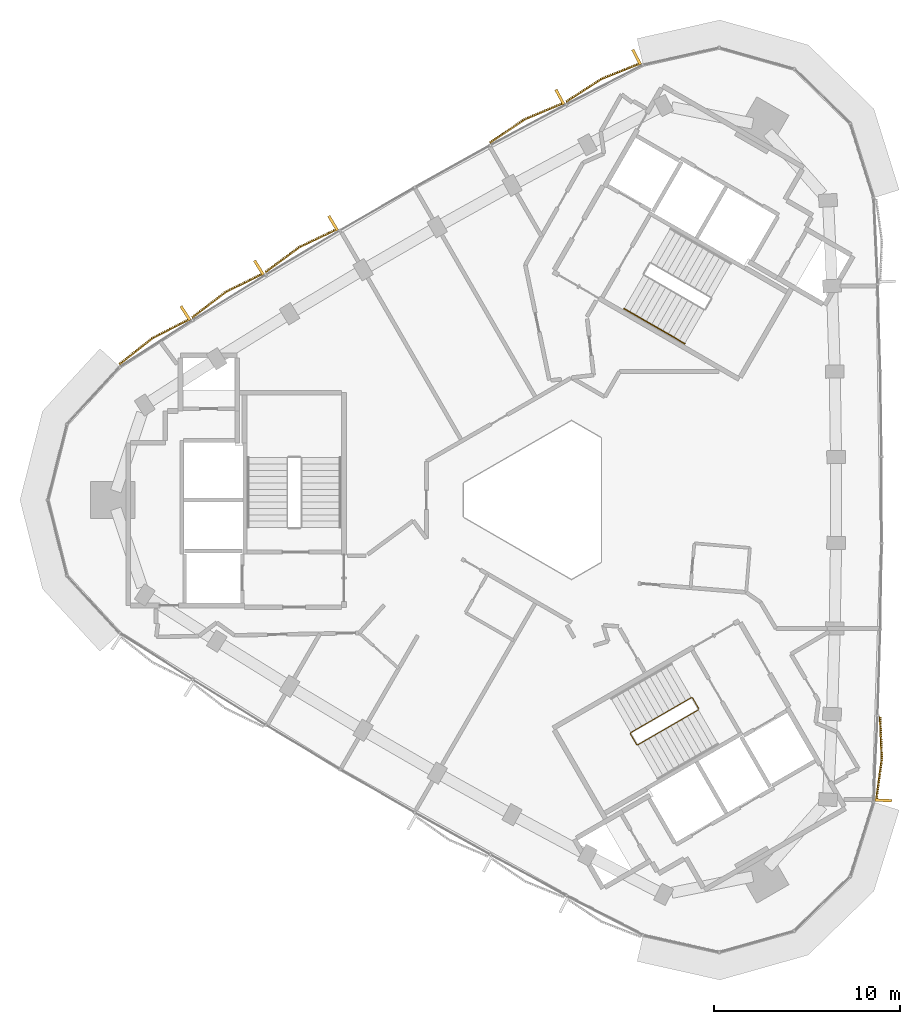
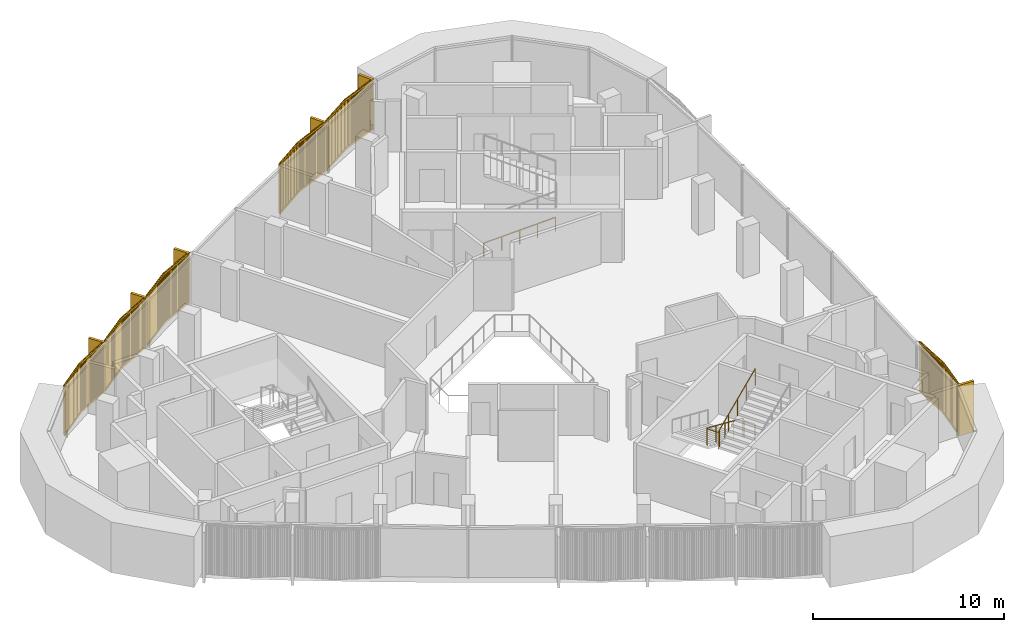
# One storey, part 11 of 12: 6 coverings, 2 railings.
"""IFC4 building model written with IfcOpenShell, lengths in metres."""

from ifc_helpers import new_model, si_unit, direction, frame, frame_2d, origin, origin_2d, place, context, subcontext, project, spatial, rectangle, circle, extrude, source, transform, mapped, material, type_object, element, save


model = new_model("IFC4")

# Units and contexts
model_context = context("Model", 3, precision=1e-05, world=origin(), true_north=direction((0.0, 1.0)))
body_context = subcontext(model_context, "Body", "Model", "MODEL_VIEW")
ifc_project = project(units=[si_unit("LENGTHUNIT", "METRE"), si_unit("AREAUNIT", "SQUARE_METRE"), si_unit("VOLUMEUNIT", "CUBIC_METRE"), si_unit("PLANEANGLEUNIT", "RADIAN"), si_unit("MASSUNIT", "GRAM", prefix="KILO")], contexts=[model_context])

# Site, building, storey
site_placement = place(None, origin())
site = spatial("IfcSite", under=ifc_project, at=site_placement, CompositionType="ELEMENT")
building_placement = place(site_placement, origin())
building = spatial("IfcBuilding", under=site, at=building_placement, Name="Tamra Quay Hotel Tower", CompositionType="ELEMENT")
storey_placement = place(building_placement, frame((0.0, 0.0, 280.199951171875)))
storey = spatial("IfcBuildingStorey", under=building, at=storey_placement, Name="L71", CompositionType="ELEMENT", Elevation=280.199951171875)

# Railings
ifc_material_1 = material(Name="Stair guard 1100")
railing_type_1 = type_object("IfcRailingType", Name="Stair guard 1100", PredefinedType="GUARDRAIL", material=ifc_material_1)
railing_1_placement = place(storey_placement, frame((8.245849609375, -11.221923828125, 0.0)))
element("IfcRailing", 1, at=railing_1_placement, inside=storey, type_object=railing_type_1, Name="GR", PredefinedType="GUARDRAIL", context=body_context, shape_type="SweptSolid", body=[
    extrude(circle(Radius=0.02392578125, at=origin_2d()), frame((0.0, 0.0, 1.076171875), z_axis=(-0.500043078269, 0.866000531106, 0.0), x_axis=(-0.866000531106, -0.500043078269, 0.0)), (0.0, 0.0, 1.0), 0.6591796875),
    extrude(circle(Radius=0.02392578125, at=origin_2d()), frame((-0.32958984375, 0.57080078125, 1.076171875), z_axis=(-0.411831509231, 0.110312011401, 0.90455849349), x_axis=(-0.258736085224, -0.965948051503, 0.0)), (0.0, 0.0, 1.0), 0.166015625),
    extrude(circle(Radius=0.02392578125, at=origin_2d()), frame((-0.39794921875, 0.589111328125, 1.22607421875), z_axis=(-0.793100512587, -0.457912285461, 0.401631567183), x_axis=(0.500012686397, -0.866018079166, 0.0)), (0.0, 0.0, 1.0), 4.10791015625),
    extrude(circle(Radius=0.02392578125, at=origin_2d()), frame((-3.656005859375, -1.2919921875, 2.8759765625), z_axis=(-0.256368644879, -0.966579080015, 0.0), x_axis=(0.966579080015, -0.256368644879, 0.0)), (0.0, 0.0, 1.0), 0.070556640625),
    extrude(circle(Radius=0.02392578125, at=origin_2d()), frame((-3.674072265625, -1.360107421875, 2.8759765625), z_axis=(0.499765215335, -0.866160914346, 0.0), x_axis=(0.866160914346, 0.499765215335, 0.0)), (0.0, 0.0, 1.0), 0.658935546875),
    extrude(circle(Radius=0.02392578125, at=origin_2d()), frame((-3.3447265625, -1.930908203125, 2.8759765625), z_axis=(0.41238007866, -0.110458949641, 0.904290601062), x_axis=(0.258736085224, 0.965948051503, 0.0)), (0.0, 0.0, 1.0), 0.165771484375),
    extrude(circle(Radius=0.02392578125, at=origin_2d()), frame((-3.2763671875, -1.94921875, 3.02587890625), z_axis=(0.793081581205, 0.457901355053, 0.401681409319), x_axis=(-0.500012686397, 0.866018079166, 0.0)), (0.0, 0.0, 1.0), 4.108154296875),
    extrude(circle(Radius=0.02099609375, at=origin_2d()), origin(), (0.0, 0.0, 1.0), 1.052001953125),
    extrude(circle(Radius=0.02099609375, at=origin_2d()), frame((-0.32958984375, 0.57080078125, 0.0)), (0.0, 0.0, 1.0), 1.052001953125),
    extrude(circle(Radius=0.02099609375, at=origin_2d()), frame((-0.39794921875, 0.589111328125, 0.150146484375)), (0.0, 0.0, 1.0), 1.052001953125),
    extrude(circle(Radius=0.02099609375, at=origin_2d()), frame((-1.21240234375, 0.118896484375, 0.5625)), (0.0, 0.0, 1.0), 1.052001953125),
    extrude(circle(Radius=0.02099609375, at=origin_2d()), frame((-2.02685546875, -0.3515625, 0.97509765625)), (0.0, 0.0, 1.0), 1.052001953125),
    extrude(circle(Radius=0.02099609375, at=origin_2d()), frame((-2.841552734375, -0.82177734375, 1.3876953125)), (0.0, 0.0, 1.0), 1.052001953125),
    extrude(circle(Radius=0.02099609375, at=origin_2d()), frame((-3.656005859375, -1.2919921875, 1.800048828125)), (0.0, 0.0, 1.0), 1.052001953125),
    extrude(circle(Radius=0.02099609375, at=origin_2d()), frame((-3.674072265625, -1.360107421875, 1.800048828125)), (0.0, 0.0, 1.0), 1.052001953125),
    extrude(circle(Radius=0.02099609375, at=origin_2d()), frame((-3.3447265625, -1.930908203125, 1.800048828125)), (0.0, 0.0, 1.0), 1.052001953125),
    extrude(circle(Radius=0.02099609375, at=origin_2d()), frame((-3.2763671875, -1.94921875, 1.949951171875)), (0.0, 0.0, 1.0), 1.052001953125),
    extrude(circle(Radius=0.02099609375, at=origin_2d()), frame((-2.4619140625, -1.47900390625, 2.362548828125)), (0.0, 0.0, 1.0), 1.052001953125),
    extrude(circle(Radius=0.02099609375, at=origin_2d()), frame((-1.6474609375, -1.0087890625, 2.77490234375)), (0.0, 0.0, 1.0), 1.052001953125),
    extrude(circle(Radius=0.02099609375, at=origin_2d()), frame((-0.832763671875, -0.538330078125, 3.1875)), (0.0, 0.0, 1.0), 1.052001953125),
    extrude(circle(Radius=0.02099609375, at=origin_2d()), frame((-0.018310546875, -0.068115234375, 3.60009765625)), (0.0, 0.0, 1.0), 1.052001953125),
])
ifc_material_2 = material(Name="Stair handrail 900")
railing_type_2 = type_object("IfcRailingType", Name="Stair handrail 900", PredefinedType="HANDRAIL", material=ifc_material_2)
railing_2_placement = place(storey_placement, frame((4.234375, 10.294189453125, 0.150146484375)))
element("IfcRailing", 2, at=railing_2_placement, inside=storey, type_object=railing_type_2, Name="HR", PredefinedType="HANDRAIL", context=body_context, shape_type="SweptSolid", body=[
    extrude(circle(Radius=0.02392578125, at=origin_2d()), frame((0.0, 0.0, 0.8759765625), z_axis=(0.793122095483, -0.45786531462, 0.401642496911), x_axis=(0.499964013922, 0.86604617936, 0.0)), (0.0, 0.0, 1.0), 4.10791015625),
    extrude(circle(Radius=0.02099609375, at=origin_2d()), origin(), (0.0, 0.0, 1.0), 0.851806640625),
    extrude(circle(Radius=0.02099609375, at=origin_2d()), frame((0.814453125, -0.47021484375, 0.41259765625)), (0.0, 0.0, 1.0), 0.851806640625),
    extrude(circle(Radius=0.02099609375, at=origin_2d()), frame((1.62890625, -0.9404296875, 0.824951171875)), (0.0, 0.0, 1.0), 0.851806640625),
    extrude(circle(Radius=0.02099609375, at=origin_2d()), frame((2.443603515625, -1.41064453125, 1.2373046875)), (0.0, 0.0, 1.0), 0.851806640625),
    extrude(circle(Radius=0.02099609375, at=origin_2d()), frame((3.258056640625, -1.880859375, 1.64990234375)), (0.0, 0.0, 1.0), 0.851806640625),
])

# Coverings
ifc_material_3 = material(Name="Terracotta baguette extruded", Category="masonry")
covering_type_1 = type_object("IfcCoveringType", Name="BAGUETTE SCREEN E-V H3250", PredefinedType="USERDEFINED", material=ifc_material_3)
shared_shape_1 = source(origin(), body_context, "Body", "SweptSolid", [
    extrude(rectangle(XDim=2.291259765625, YDim=0.06005859375, at=frame_2d((1.1455078125, 0.030029296875))), frame((-2.287841796875, -0.057861328125, -0.1201171875), z_axis=(0.0, 0.0, 1.0), x_axis=(0.996194698092, -0.087155742748, 0.0)), (0.0, 0.0, 1.0), 0.1201171875),
    extrude(rectangle(XDim=2.291259765625, YDim=0.06005859375, at=frame_2d((1.1455078125, 0.030029296875))), frame((-2.287841796875, -0.057861328125, -3.25), z_axis=(0.0, 0.0, 1.0), x_axis=(0.996194698092, -0.087155742748, 0.0)), (0.0, 0.0, 1.0), 0.1201171875),
    extrude(rectangle(XDim=0.070068359375, YDim=0.10009765625, at=frame_2d((0.03515625, 0.050048828125))), frame((-2.267822265625, -0.13232421875, -3.18994140625)), (0.0, 0.0, 1.0), 3.1298828125),
    extrude(rectangle(XDim=0.070068359375, YDim=0.10009765625, at=frame_2d((0.03515625, 0.050048828125))), frame((-2.168701171875, -0.14111328125, -3.18994140625)), (0.0, 0.0, 1.0), 3.1298828125),
    extrude(rectangle(XDim=0.070068359375, YDim=0.10009765625, at=frame_2d((0.03515625, 0.050048828125))), frame((-2.0693359375, -0.149658203125, -3.18994140625)), (0.0, 0.0, 1.0), 3.1298828125),
    extrude(rectangle(XDim=0.070068359375, YDim=0.10009765625, at=frame_2d((0.03515625, 0.050048828125))), frame((-1.97021484375, -0.158447265625, -3.18994140625)), (0.0, 0.0, 1.0), 3.1298828125),
    extrude(rectangle(XDim=0.070068359375, YDim=0.10009765625, at=frame_2d((0.03515625, 0.050048828125))), frame((-1.870849609375, -0.1669921875, -3.18994140625)), (0.0, 0.0, 1.0), 3.1298828125),
    extrude(rectangle(XDim=0.070068359375, YDim=0.10009765625, at=frame_2d((0.03515625, 0.050048828125))), frame((-1.771728515625, -0.17578125, -3.18994140625)), (0.0, 0.0, 1.0), 3.1298828125),
    extrude(rectangle(XDim=0.070068359375, YDim=0.10009765625, at=frame_2d((0.03515625, 0.050048828125))), frame((-1.67236328125, -0.184326171875, -3.18994140625)), (0.0, 0.0, 1.0), 3.1298828125),
    extrude(rectangle(XDim=0.070068359375, YDim=0.10009765625, at=frame_2d((0.03515625, 0.050048828125))), frame((-1.5732421875, -0.193115234375, -3.18994140625)), (0.0, 0.0, 1.0), 3.1298828125),
    extrude(rectangle(XDim=0.070068359375, YDim=0.10009765625, at=frame_2d((0.03515625, 0.050048828125))), frame((-1.473876953125, -0.201904296875, -3.18994140625)), (0.0, 0.0, 1.0), 3.1298828125),
    extrude(rectangle(XDim=0.070068359375, YDim=0.10009765625, at=frame_2d((0.03515625, 0.050048828125))), frame((-1.374755859375, -0.21044921875, -3.18994140625)), (0.0, 0.0, 1.0), 3.1298828125),
    extrude(rectangle(XDim=0.070068359375, YDim=0.10009765625, at=frame_2d((0.03515625, 0.050048828125))), frame((-1.275390625, -0.21923828125, -3.18994140625)), (0.0, 0.0, 1.0), 3.1298828125),
    extrude(rectangle(XDim=0.070068359375, YDim=0.10009765625, at=frame_2d((0.03515625, 0.050048828125))), frame((-1.17626953125, -0.227783203125, -3.18994140625)), (0.0, 0.0, 1.0), 3.1298828125),
    extrude(rectangle(XDim=0.070068359375, YDim=0.10009765625, at=frame_2d((0.03515625, 0.050048828125))), frame((-1.076904296875, -0.236572265625, -3.18994140625)), (0.0, 0.0, 1.0), 3.1298828125),
    extrude(rectangle(XDim=0.070068359375, YDim=0.10009765625, at=frame_2d((0.03515625, 0.050048828125))), frame((-0.977783203125, -0.2451171875, -3.18994140625)), (0.0, 0.0, 1.0), 3.1298828125),
    extrude(rectangle(XDim=0.070068359375, YDim=0.10009765625, at=frame_2d((0.03515625, 0.050048828125))), frame((-0.87841796875, -0.25390625, -3.18994140625)), (0.0, 0.0, 1.0), 3.1298828125),
    extrude(rectangle(XDim=0.070068359375, YDim=0.10009765625, at=frame_2d((0.03515625, 0.050048828125))), frame((-0.779296875, -0.2626953125, -3.18994140625)), (0.0, 0.0, 1.0), 3.1298828125),
    extrude(rectangle(XDim=0.070068359375, YDim=0.10009765625, at=frame_2d((0.03515625, 0.050048828125))), frame((-0.679931640625, -0.271240234375, -3.18994140625)), (0.0, 0.0, 1.0), 3.1298828125),
    extrude(rectangle(XDim=0.070068359375, YDim=0.10009765625, at=frame_2d((0.03515625, 0.050048828125))), frame((-0.580810546875, -0.280029296875, -3.18994140625)), (0.0, 0.0, 1.0), 3.1298828125),
    extrude(rectangle(XDim=0.070068359375, YDim=0.10009765625, at=frame_2d((0.03515625, 0.050048828125))), frame((-0.481689453125, -0.28857421875, -3.18994140625)), (0.0, 0.0, 1.0), 3.1298828125),
    extrude(rectangle(XDim=0.070068359375, YDim=0.10009765625, at=frame_2d((0.03515625, 0.050048828125))), frame((-0.38232421875, -0.29736328125, -3.18994140625)), (0.0, 0.0, 1.0), 3.1298828125),
    extrude(rectangle(XDim=0.070068359375, YDim=0.10009765625, at=frame_2d((0.03515625, 0.050048828125))), frame((-0.283203125, -0.305908203125, -3.18994140625)), (0.0, 0.0, 1.0), 3.1298828125),
    extrude(rectangle(XDim=0.070068359375, YDim=0.10009765625, at=frame_2d((0.03515625, 0.050048828125))), frame((-0.183837890625, -0.314697265625, -3.18994140625)), (0.0, 0.0, 1.0), 3.1298828125),
    extrude(rectangle(XDim=0.070068359375, YDim=0.10009765625, at=frame_2d((0.03515625, 0.050048828125))), frame((-0.084716796875, -0.3232421875, -3.18994140625)), (0.0, 0.0, 1.0), 3.1298828125),
    extrude(rectangle(XDim=2.291259765625, YDim=0.06005859375, at=frame_2d((1.1455078125, 0.030029296875))), frame((0.005126953125, -0.257568359375, -0.1201171875), z_axis=(0.0, 0.0, 1.0), x_axis=(0.996194698092, 0.087155742748, 0.0)), (0.0, 0.0, 1.0), 0.1201171875),
    extrude(rectangle(XDim=2.291259765625, YDim=0.06005859375, at=frame_2d((1.1455078125, 0.030029296875))), frame((0.005126953125, -0.257568359375, -3.25), z_axis=(0.0, 0.0, 1.0), x_axis=(0.996194698092, 0.087155742748, 0.0)), (0.0, 0.0, 1.0), 0.1201171875),
    extrude(rectangle(XDim=0.070068359375, YDim=0.10009765625, at=frame_2d((0.03515625, 0.050048828125))), frame((0.0146484375, -0.3232421875, -3.18994140625)), (0.0, 0.0, 1.0), 3.1298828125),
    extrude(rectangle(XDim=0.070068359375, YDim=0.10009765625, at=frame_2d((0.03515625, 0.050048828125))), frame((0.11376953125, -0.314697265625, -3.18994140625)), (0.0, 0.0, 1.0), 3.1298828125),
    extrude(rectangle(XDim=0.070068359375, YDim=0.10009765625, at=frame_2d((0.03515625, 0.050048828125))), frame((0.213134765625, -0.305908203125, -3.18994140625)), (0.0, 0.0, 1.0), 3.1298828125),
    extrude(rectangle(XDim=0.070068359375, YDim=0.10009765625, at=frame_2d((0.03515625, 0.050048828125))), frame((0.312255859375, -0.29736328125, -3.18994140625)), (0.0, 0.0, 1.0), 3.1298828125),
    extrude(rectangle(XDim=0.070068359375, YDim=0.10009765625, at=frame_2d((0.03515625, 0.050048828125))), frame((0.41162109375, -0.28857421875, -3.18994140625)), (0.0, 0.0, 1.0), 3.1298828125),
    extrude(rectangle(XDim=0.070068359375, YDim=0.10009765625, at=frame_2d((0.03515625, 0.050048828125))), frame((0.5107421875, -0.280029296875, -3.18994140625)), (0.0, 0.0, 1.0), 3.1298828125),
    extrude(rectangle(XDim=0.070068359375, YDim=0.10009765625, at=frame_2d((0.03515625, 0.050048828125))), frame((0.610107421875, -0.271240234375, -3.18994140625)), (0.0, 0.0, 1.0), 3.1298828125),
    extrude(rectangle(XDim=0.070068359375, YDim=0.10009765625, at=frame_2d((0.03515625, 0.050048828125))), frame((0.709228515625, -0.2626953125, -3.18994140625)), (0.0, 0.0, 1.0), 3.1298828125),
    extrude(rectangle(XDim=0.070068359375, YDim=0.10009765625, at=frame_2d((0.03515625, 0.050048828125))), frame((0.80859375, -0.25390625, -3.18994140625)), (0.0, 0.0, 1.0), 3.1298828125),
    extrude(rectangle(XDim=0.070068359375, YDim=0.10009765625, at=frame_2d((0.03515625, 0.050048828125))), frame((0.90771484375, -0.2451171875, -3.18994140625)), (0.0, 0.0, 1.0), 3.1298828125),
    extrude(rectangle(XDim=0.070068359375, YDim=0.10009765625, at=frame_2d((0.03515625, 0.050048828125))), frame((1.007080078125, -0.236572265625, -3.18994140625)), (0.0, 0.0, 1.0), 3.1298828125),
    extrude(rectangle(XDim=0.070068359375, YDim=0.10009765625, at=frame_2d((0.03515625, 0.050048828125))), frame((1.106201171875, -0.227783203125, -3.18994140625)), (0.0, 0.0, 1.0), 3.1298828125),
    extrude(rectangle(XDim=0.070068359375, YDim=0.10009765625, at=frame_2d((0.03515625, 0.050048828125))), frame((1.20556640625, -0.21923828125, -3.18994140625)), (0.0, 0.0, 1.0), 3.1298828125),
    extrude(rectangle(XDim=0.070068359375, YDim=0.10009765625, at=frame_2d((0.03515625, 0.050048828125))), frame((1.3046875, -0.21044921875, -3.18994140625)), (0.0, 0.0, 1.0), 3.1298828125),
    extrude(rectangle(XDim=0.070068359375, YDim=0.10009765625, at=frame_2d((0.03515625, 0.050048828125))), frame((1.404052734375, -0.201904296875, -3.18994140625)), (0.0, 0.0, 1.0), 3.1298828125),
    extrude(rectangle(XDim=0.070068359375, YDim=0.10009765625, at=frame_2d((0.03515625, 0.050048828125))), frame((1.503173828125, -0.193115234375, -3.18994140625)), (0.0, 0.0, 1.0), 3.1298828125),
    extrude(rectangle(XDim=0.070068359375, YDim=0.10009765625, at=frame_2d((0.03515625, 0.050048828125))), frame((1.6025390625, -0.184326171875, -3.18994140625)), (0.0, 0.0, 1.0), 3.1298828125),
    extrude(rectangle(XDim=0.070068359375, YDim=0.10009765625, at=frame_2d((0.03515625, 0.050048828125))), frame((1.70166015625, -0.17578125, -3.18994140625)), (0.0, 0.0, 1.0), 3.1298828125),
    extrude(rectangle(XDim=0.070068359375, YDim=0.10009765625, at=frame_2d((0.03515625, 0.050048828125))), frame((1.801025390625, -0.1669921875, -3.18994140625)), (0.0, 0.0, 1.0), 3.1298828125),
    extrude(rectangle(XDim=0.070068359375, YDim=0.10009765625, at=frame_2d((0.03515625, 0.050048828125))), frame((1.900146484375, -0.158447265625, -3.18994140625)), (0.0, 0.0, 1.0), 3.1298828125),
    extrude(rectangle(XDim=0.070068359375, YDim=0.10009765625, at=frame_2d((0.03515625, 0.050048828125))), frame((1.99951171875, -0.149658203125, -3.18994140625)), (0.0, 0.0, 1.0), 3.1298828125),
    extrude(rectangle(XDim=0.070068359375, YDim=0.10009765625, at=frame_2d((0.03515625, 0.050048828125))), frame((2.0986328125, -0.14111328125, -3.18994140625)), (0.0, 0.0, 1.0), 3.1298828125),
    extrude(rectangle(XDim=0.070068359375, YDim=0.10009765625, at=frame_2d((0.03515625, 0.050048828125))), frame((2.197998046875, -0.13232421875, -3.18994140625)), (0.0, 0.0, 1.0), 3.1298828125),
    extrude(rectangle(XDim=0.14990234375, YDim=0.902099609375, at=frame_2d((0.074951171875, 0.451171875))), frame((-2.282470703125, -0.89990234375, -3.25)), (0.0, 0.0, 1.0), 3.25),
])
covering_placement = place(storey_placement, frame((17.83544921875, -13.934326171875, 3.25), z_axis=(0.0, 0.0, 1.0), x_axis=(0.046821223335, 0.998903285131, 0.0)))
element("IfcCovering", 3, at=covering_placement, inside=storey, type_object=covering_type_1, Name="Baguette screen L71.E.f00", ObjectType="BAGUETTE SCREEN", PredefinedType="USERDEFINED", context=body_context, shape_type="MappedRepresentation", body=[
    mapped(shared_shape_1, transform((0.0, 0.0, 0.0), scale=1.0)),
])
covering_type_2 = type_object("IfcCoveringType", Name="BAGUETTE SCREEN NW-V H3250", PredefinedType="USERDEFINED", material=ifc_material_3)
shared_shape_2 = source(origin(), body_context, "Body", "SweptSolid", [
    extrude(rectangle(XDim=2.29296875, YDim=0.06005859375, at=frame_2d((1.146484375, 0.030029296875))), frame((-2.288330078125, -0.0576171875, -0.1201171875), z_axis=(0.0, 0.0, 1.0), x_axis=(0.995396198367, -0.09584575252, 0.0)), (0.0, 0.0, 1.0), 0.1201171875),
    extrude(rectangle(XDim=2.29296875, YDim=0.06005859375, at=frame_2d((1.146484375, 0.030029296875))), frame((-2.288330078125, -0.0576171875, -3.25), z_axis=(0.0, 0.0, 1.0), x_axis=(0.995396198367, -0.09584575252, 0.0)), (0.0, 0.0, 1.0), 0.1201171875),
    extrude(rectangle(XDim=0.070068359375, YDim=0.10009765625, at=frame_2d((0.03515625, 0.050048828125))), frame((-2.267822265625, -0.1328125, -3.18994140625)), (0.0, 0.0, 1.0), 3.1298828125),
    extrude(rectangle(XDim=0.070068359375, YDim=0.10009765625, at=frame_2d((0.03515625, 0.050048828125))), frame((-2.168701171875, -0.142333984375, -3.18994140625)), (0.0, 0.0, 1.0), 3.1298828125),
    extrude(rectangle(XDim=0.070068359375, YDim=0.10009765625, at=frame_2d((0.03515625, 0.050048828125))), frame((-2.0693359375, -0.15185546875, -3.18994140625)), (0.0, 0.0, 1.0), 3.1298828125),
    extrude(rectangle(XDim=0.070068359375, YDim=0.10009765625, at=frame_2d((0.03515625, 0.050048828125))), frame((-1.97021484375, -0.161376953125, -3.18994140625)), (0.0, 0.0, 1.0), 3.1298828125),
    extrude(rectangle(XDim=0.070068359375, YDim=0.10009765625, at=frame_2d((0.03515625, 0.050048828125))), frame((-1.870849609375, -0.1708984375, -3.18994140625)), (0.0, 0.0, 1.0), 3.1298828125),
    extrude(rectangle(XDim=0.070068359375, YDim=0.10009765625, at=frame_2d((0.03515625, 0.050048828125))), frame((-1.771728515625, -0.1806640625, -3.18994140625)), (0.0, 0.0, 1.0), 3.1298828125),
    extrude(rectangle(XDim=0.070068359375, YDim=0.10009765625, at=frame_2d((0.03515625, 0.050048828125))), frame((-1.67236328125, -0.190185546875, -3.18994140625)), (0.0, 0.0, 1.0), 3.1298828125),
    extrude(rectangle(XDim=0.070068359375, YDim=0.10009765625, at=frame_2d((0.03515625, 0.050048828125))), frame((-1.5732421875, -0.19970703125, -3.18994140625)), (0.0, 0.0, 1.0), 3.1298828125),
    extrude(rectangle(XDim=0.070068359375, YDim=0.10009765625, at=frame_2d((0.03515625, 0.050048828125))), frame((-1.473876953125, -0.209228515625, -3.18994140625)), (0.0, 0.0, 1.0), 3.1298828125),
    extrude(rectangle(XDim=0.070068359375, YDim=0.10009765625, at=frame_2d((0.03515625, 0.050048828125))), frame((-1.374755859375, -0.21875, -3.18994140625)), (0.0, 0.0, 1.0), 3.1298828125),
    extrude(rectangle(XDim=0.070068359375, YDim=0.10009765625, at=frame_2d((0.03515625, 0.050048828125))), frame((-1.275390625, -0.228271484375, -3.18994140625)), (0.0, 0.0, 1.0), 3.1298828125),
    extrude(rectangle(XDim=0.070068359375, YDim=0.10009765625, at=frame_2d((0.03515625, 0.050048828125))), frame((-1.17626953125, -0.23779296875, -3.18994140625)), (0.0, 0.0, 1.0), 3.1298828125),
    extrude(rectangle(XDim=0.070068359375, YDim=0.10009765625, at=frame_2d((0.03515625, 0.050048828125))), frame((-1.076904296875, -0.24755859375, -3.18994140625)), (0.0, 0.0, 1.0), 3.1298828125),
    extrude(rectangle(XDim=0.070068359375, YDim=0.10009765625, at=frame_2d((0.03515625, 0.050048828125))), frame((-0.977783203125, -0.257080078125, -3.18994140625)), (0.0, 0.0, 1.0), 3.1298828125),
    extrude(rectangle(XDim=0.070068359375, YDim=0.10009765625, at=frame_2d((0.03515625, 0.050048828125))), frame((-0.87841796875, -0.2666015625, -3.18994140625)), (0.0, 0.0, 1.0), 3.1298828125),
    extrude(rectangle(XDim=0.070068359375, YDim=0.10009765625, at=frame_2d((0.03515625, 0.050048828125))), frame((-0.779296875, -0.276123046875, -3.18994140625)), (0.0, 0.0, 1.0), 3.1298828125),
    extrude(rectangle(XDim=0.070068359375, YDim=0.10009765625, at=frame_2d((0.03515625, 0.050048828125))), frame((-0.679931640625, -0.28564453125, -3.18994140625)), (0.0, 0.0, 1.0), 3.1298828125),
    extrude(rectangle(XDim=0.070068359375, YDim=0.10009765625, at=frame_2d((0.03515625, 0.050048828125))), frame((-0.580810546875, -0.295166015625, -3.18994140625)), (0.0, 0.0, 1.0), 3.1298828125),
    extrude(rectangle(XDim=0.070068359375, YDim=0.10009765625, at=frame_2d((0.03515625, 0.050048828125))), frame((-0.481689453125, -0.3046875, -3.18994140625)), (0.0, 0.0, 1.0), 3.1298828125),
    extrude(rectangle(XDim=0.070068359375, YDim=0.10009765625, at=frame_2d((0.03515625, 0.050048828125))), frame((-0.38232421875, -0.314453125, -3.18994140625)), (0.0, 0.0, 1.0), 3.1298828125),
    extrude(rectangle(XDim=0.070068359375, YDim=0.10009765625, at=frame_2d((0.03515625, 0.050048828125))), frame((-0.283203125, -0.323974609375, -3.18994140625)), (0.0, 0.0, 1.0), 3.1298828125),
    extrude(rectangle(XDim=0.070068359375, YDim=0.10009765625, at=frame_2d((0.03515625, 0.050048828125))), frame((-0.183837890625, -0.33349609375, -3.18994140625)), (0.0, 0.0, 1.0), 3.1298828125),
    extrude(rectangle(XDim=0.070068359375, YDim=0.10009765625, at=frame_2d((0.03515625, 0.050048828125))), frame((-0.084716796875, -0.343017578125, -3.18994140625)), (0.0, 0.0, 1.0), 3.1298828125),
    extrude(rectangle(XDim=2.29296875, YDim=0.06005859375, at=frame_2d((1.146484375, 0.030029296875))), frame((0.005859375, -0.277587890625, -0.1201171875), z_axis=(0.0, 0.0, 1.0), x_axis=(0.995396198367, 0.09584575252, 0.0)), (0.0, 0.0, 1.0), 0.1201171875),
    extrude(rectangle(XDim=2.29296875, YDim=0.06005859375, at=frame_2d((1.146484375, 0.030029296875))), frame((0.005859375, -0.277587890625, -3.25), z_axis=(0.0, 0.0, 1.0), x_axis=(0.995396198367, 0.09584575252, 0.0)), (0.0, 0.0, 1.0), 0.1201171875),
    extrude(rectangle(XDim=0.070068359375, YDim=0.10009765625, at=frame_2d((0.03515625, 0.050048828125))), frame((0.0146484375, -0.343017578125, -3.18994140625)), (0.0, 0.0, 1.0), 3.1298828125),
    extrude(rectangle(XDim=0.070068359375, YDim=0.10009765625, at=frame_2d((0.03515625, 0.050048828125))), frame((0.11376953125, -0.33349609375, -3.18994140625)), (0.0, 0.0, 1.0), 3.1298828125),
    extrude(rectangle(XDim=0.070068359375, YDim=0.10009765625, at=frame_2d((0.03515625, 0.050048828125))), frame((0.213134765625, -0.323974609375, -3.18994140625)), (0.0, 0.0, 1.0), 3.1298828125),
    extrude(rectangle(XDim=0.070068359375, YDim=0.10009765625, at=frame_2d((0.03515625, 0.050048828125))), frame((0.312255859375, -0.314453125, -3.18994140625)), (0.0, 0.0, 1.0), 3.1298828125),
    extrude(rectangle(XDim=0.070068359375, YDim=0.10009765625, at=frame_2d((0.03515625, 0.050048828125))), frame((0.41162109375, -0.3046875, -3.18994140625)), (0.0, 0.0, 1.0), 3.1298828125),
    extrude(rectangle(XDim=0.070068359375, YDim=0.10009765625, at=frame_2d((0.03515625, 0.050048828125))), frame((0.5107421875, -0.295166015625, -3.18994140625)), (0.0, 0.0, 1.0), 3.1298828125),
    extrude(rectangle(XDim=0.070068359375, YDim=0.10009765625, at=frame_2d((0.03515625, 0.050048828125))), frame((0.610107421875, -0.28564453125, -3.18994140625)), (0.0, 0.0, 1.0), 3.1298828125),
    extrude(rectangle(XDim=0.070068359375, YDim=0.10009765625, at=frame_2d((0.03515625, 0.050048828125))), frame((0.709228515625, -0.276123046875, -3.18994140625)), (0.0, 0.0, 1.0), 3.1298828125),
    extrude(rectangle(XDim=0.070068359375, YDim=0.10009765625, at=frame_2d((0.03515625, 0.050048828125))), frame((0.80859375, -0.2666015625, -3.18994140625)), (0.0, 0.0, 1.0), 3.1298828125),
    extrude(rectangle(XDim=0.070068359375, YDim=0.10009765625, at=frame_2d((0.03515625, 0.050048828125))), frame((0.90771484375, -0.257080078125, -3.18994140625)), (0.0, 0.0, 1.0), 3.1298828125),
    extrude(rectangle(XDim=0.070068359375, YDim=0.10009765625, at=frame_2d((0.03515625, 0.050048828125))), frame((1.007080078125, -0.24755859375, -3.18994140625)), (0.0, 0.0, 1.0), 3.1298828125),
    extrude(rectangle(XDim=0.070068359375, YDim=0.10009765625, at=frame_2d((0.03515625, 0.050048828125))), frame((1.106201171875, -0.23779296875, -3.18994140625)), (0.0, 0.0, 1.0), 3.1298828125),
    extrude(rectangle(XDim=0.070068359375, YDim=0.10009765625, at=frame_2d((0.03515625, 0.050048828125))), frame((1.20556640625, -0.228271484375, -3.18994140625)), (0.0, 0.0, 1.0), 3.1298828125),
    extrude(rectangle(XDim=0.070068359375, YDim=0.10009765625, at=frame_2d((0.03515625, 0.050048828125))), frame((1.3046875, -0.21875, -3.18994140625)), (0.0, 0.0, 1.0), 3.1298828125),
    extrude(rectangle(XDim=0.070068359375, YDim=0.10009765625, at=frame_2d((0.03515625, 0.050048828125))), frame((1.404052734375, -0.209228515625, -3.18994140625)), (0.0, 0.0, 1.0), 3.1298828125),
    extrude(rectangle(XDim=0.070068359375, YDim=0.10009765625, at=frame_2d((0.03515625, 0.050048828125))), frame((1.503173828125, -0.19970703125, -3.18994140625)), (0.0, 0.0, 1.0), 3.1298828125),
    extrude(rectangle(XDim=0.070068359375, YDim=0.10009765625, at=frame_2d((0.03515625, 0.050048828125))), frame((1.6025390625, -0.190185546875, -3.18994140625)), (0.0, 0.0, 1.0), 3.1298828125),
    extrude(rectangle(XDim=0.070068359375, YDim=0.10009765625, at=frame_2d((0.03515625, 0.050048828125))), frame((1.70166015625, -0.1806640625, -3.18994140625)), (0.0, 0.0, 1.0), 3.1298828125),
    extrude(rectangle(XDim=0.070068359375, YDim=0.10009765625, at=frame_2d((0.03515625, 0.050048828125))), frame((1.801025390625, -0.1708984375, -3.18994140625)), (0.0, 0.0, 1.0), 3.1298828125),
    extrude(rectangle(XDim=0.070068359375, YDim=0.10009765625, at=frame_2d((0.03515625, 0.050048828125))), frame((1.900146484375, -0.161376953125, -3.18994140625)), (0.0, 0.0, 1.0), 3.1298828125),
    extrude(rectangle(XDim=0.070068359375, YDim=0.10009765625, at=frame_2d((0.03515625, 0.050048828125))), frame((1.99951171875, -0.15185546875, -3.18994140625)), (0.0, 0.0, 1.0), 3.1298828125),
    extrude(rectangle(XDim=0.070068359375, YDim=0.10009765625, at=frame_2d((0.03515625, 0.050048828125))), frame((2.0986328125, -0.142333984375, -3.18994140625)), (0.0, 0.0, 1.0), 3.1298828125),
    extrude(rectangle(XDim=0.070068359375, YDim=0.10009765625, at=frame_2d((0.03515625, 0.050048828125))), frame((2.197998046875, -0.1328125, -3.18994140625)), (0.0, 0.0, 1.0), 3.1298828125),
    extrude(rectangle(XDim=0.14990234375, YDim=0.902099609375, at=frame_2d((0.074951171875, 0.451171875))), frame((-2.282470703125, -0.89990234375, -3.25)), (0.0, 0.0, 1.0), 3.25),
])
for number, where, z_axis, x_axis, name in (
    (4, (3.149658203125, 22.4130859375, 3.25), (0.0, 0.0, 1.0), (-0.888486232515, -0.458903273721, 0.0), "Baguette screen L71.NW.f00"),
    (5, (-0.961669921875, 20.248779296875, 3.25), (0.0, 0.0, 1.0), (-0.881223539128, -0.472699771618, 0.0), "Baguette screen L71.NW.f01"),
    (6, (-13.087158203125, 13.3740234375, 3.25), (0.0, 0.0, 1.0), (-0.858103115218, -0.513477403254, 0.0), "Baguette screen L71.NW.f04"),
    (7, (-17.05517578125, 10.957275390625, 3.25), (0.0, 0.0, 1.0), (-0.849981780148, -0.526812085489, 0.0), "Baguette screen L71.NW.f05"),
    (8, (-20.9853515625, 8.478759765625, 3.25), (0.0, 0.0, 1.0), (-0.841665009179, -0.54000001141, 0.0), "Baguette screen L71.NW.f06"),
):
    element("IfcCovering", number, at=place(storey_placement, frame(where, z_axis=z_axis, x_axis=x_axis)), inside=storey, type_object=covering_type_2, Name=name, ObjectType="BAGUETTE SCREEN", PredefinedType="USERDEFINED", context=body_context, shape_type="MappedRepresentation", body=[
        mapped(shared_shape_2, transform((0.0, 0.0, 0.0), scale=1.0)),
    ])

save(model, "model.ifc")
